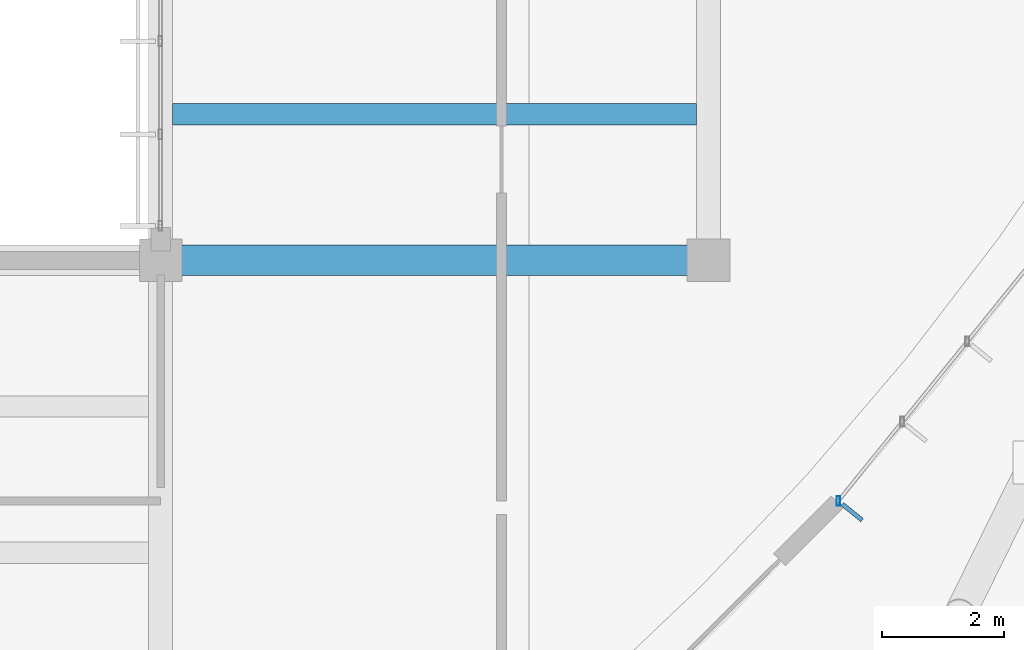
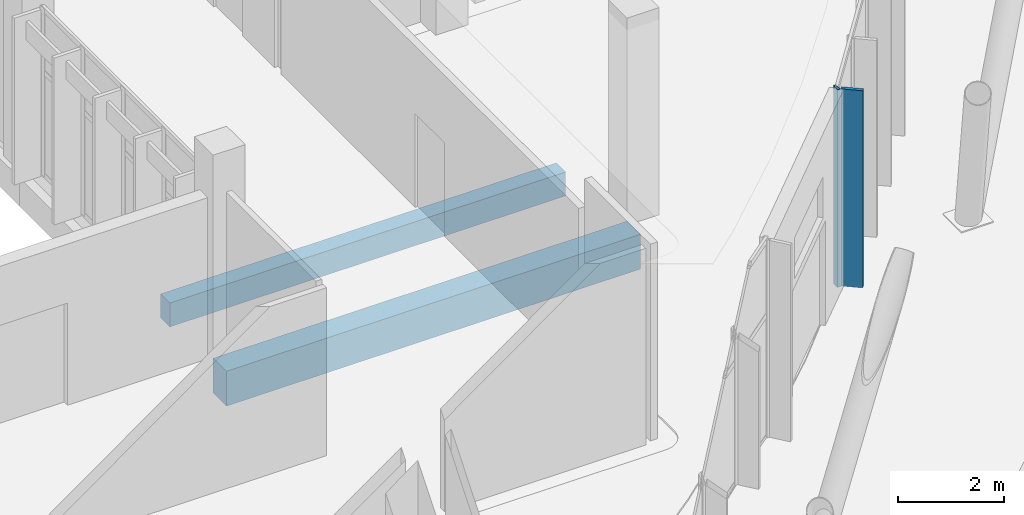
# One storey, part 73 of 151: 2 beams, 2 members, 1 element without a shape of its own.
"""IFC4 building model written with IfcOpenShell, lengths in metres."""

from ifc_helpers import new_model, si_unit, direction, frame, origin, origin_2d, place, context, subcontext, project, spatial, rectangle, hollow_rectangle, extrude, material, material_profile, profile_set, type_object, element, aggregate, save


model = new_model("IFC4")

# Units and contexts
model_context = context("Model", 3, precision=1e-05, world=origin(), true_north=direction((0.0, 1.0)))
body_context = subcontext(model_context, "Body", "Model", "MODEL_VIEW")
ifc_project = project(units=[si_unit("LENGTHUNIT", "METRE"), si_unit("AREAUNIT", "SQUARE_METRE"), si_unit("VOLUMEUNIT", "CUBIC_METRE"), si_unit("PLANEANGLEUNIT", "RADIAN"), si_unit("MASSUNIT", "GRAM", prefix="KILO")], contexts=[model_context])

# Site, building, storey
site_placement = place(None, origin())
site = spatial("IfcSite", under=ifc_project, at=site_placement, CompositionType="ELEMENT")
building_placement = place(site_placement, origin())
building = spatial("IfcBuilding", under=site, at=building_placement, Name="Chiffa Square Polytechnic", CompositionType="ELEMENT")
storey_placement = place(building_placement, origin())
storey = spatial("IfcBuildingStorey", under=building, at=storey_placement, Name="L00", CompositionType="ELEMENT", Elevation=0.0)

# Beam
ifc_material_1 = material(Name="Concrete C40/50", Category="concrete")
ifc_material_profile_1 = material_profile(ifc_material_1, rectangle(XDim=0.5, YDim=0.800048828125, at=origin_2d()), Name="RC 500x800")
ifc_profile_set_1 = profile_set([ifc_material_profile_1], Name="Concrete C40/50")
beam_type_1 = type_object("IfcBeamType", Name="BM-RC-500X800", PredefinedType="BEAM", material=ifc_profile_set_1)
beam_1_placement = place(storey_placement, frame((148.199951171875, 28.800048828125, -0.75), z_axis=(1.0, 0.0, 0.0), x_axis=(0.0, 1.0, 0.0)))
element("IfcBeam", 1, at=beam_1_placement, inside=storey, type_object=beam_type_1, Name="Primary floor girder BM-V1-L00-X-1482-0288", PredefinedType="BEAM", context=body_context, shape_type="SweptSolid", body=[
    extrude(rectangle(XDim=0.5, YDim=0.800048828125, at=origin_2d()), origin(), (0.0, 0.0, 1.0), 9.0),
])

# Curtain wall, members
ifc_material_2 = material(Name="Aluminium EN AW-6060 T66 and glulam shading", Category="wood")
curtain_wall_type = type_object("IfcCurtainWallType", Name="CW-VERT-480X380", PredefinedType="USERDEFINED", material=ifc_material_2)
curtain_wall_placement = place(storey_placement, origin())
curtain_wall = element("IfcCurtainWall", 2, at=curtain_wall_placement, inside=storey, type_object=curtain_wall_type, Name="Curtain wall CW-V1-L00-006", ObjectType="CURTAIN WALL", PredefinedType="USERDEFINED")
ifc_material_3 = material(Name="Aluminium EN AW-6060 T66", Category="aluminium")
ifc_material_profile_2 = material_profile(ifc_material_3, hollow_rectangle(XDim=0.06005859375, YDim=0.159912109375, WallThickness=0.00390625, at=origin_2d()), Name="ALU 60x160x4")
ifc_profile_set_2 = profile_set([ifc_material_profile_2], Name="Aluminium EN AW-6060 T66")
member_type_1 = type_object("IfcMemberType", Name="CWM-ALU-65X150", PredefinedType="MULLION", material=ifc_profile_set_2)
member_1_placement = place(storey_placement, frame((159.3330078125, 24.84912109375, -0.02001953125), z_axis=(0.0, 0.0, 1.0), x_axis=(1.0, 0.0, 0.0)))
member_1 = element("IfcMember", 3, at=member_1_placement, type_object=member_type_1, Name="Curtain wall mullion CW-V1-L00-006-M00", PredefinedType="MULLION", context=body_context, shape_type="SweptSolid", body=[
    extrude(hollow_rectangle(XDim=0.06005859375, YDim=0.159912109375, WallThickness=0.00390625, at=origin_2d()), origin(), (0.0, 0.0, 1.0), 4.554931640625),
])
ifc_material_4 = material(Name="Glulam GL28h", Category="wood")
ifc_material_profile_3 = material_profile(ifc_material_4, rectangle(XDim=0.070068359375, YDim=0.419921875, at=origin_2d()), Name="GL28h 70x420")
ifc_profile_set_3 = profile_set([ifc_material_profile_3], Name="Glulam GL28h")
member_type_2 = type_object("IfcMemberType", Name="CWM-GL-70X420", PredefinedType="MULLION", material=ifc_profile_set_3)
member_2_placement = place(storey_placement, frame((159.56005859375, 24.6650390625, -0.010009765625), z_axis=(0.0, 0.0, 1.0), x_axis=(0.629211874869, 0.777233823584, 0.0)))
member_2 = element("IfcMember", 4, at=member_2_placement, type_object=member_type_2, Name="Exterior glulam solar fin CW-V1-L00-006-FN00", PredefinedType="MULLION", context=body_context, shape_type="SweptSolid", body=[
    extrude(rectangle(XDim=0.070068359375, YDim=0.419921875, at=origin_2d()), origin(), (0.0, 0.0, 1.0), 4.534912109375),
])
aggregate(curtain_wall, [member_1, member_2])

# Beam
ifc_material_5 = material(Name="Concrete C35/45", Category="concrete")
ifc_material_profile_4 = material_profile(ifc_material_5, rectangle(XDim=0.35009765625, YDim=0.550048828125, at=origin_2d()), Name="RC 350x550")
ifc_profile_set_4 = profile_set([ifc_material_profile_4], Name="Concrete C35/45")
beam_type_2 = type_object("IfcBeamType", Name="JST-RC-350X550", PredefinedType="JOIST", material=ifc_profile_set_4)
beam_2_placement = place(storey_placement, frame((148.39794921875, 31.199951171875, -0.625), z_axis=(1.0, 0.0, 0.0), x_axis=(0.0, 1.0, 0.0)))
element("IfcBeam", 5, at=beam_2_placement, inside=storey, type_object=beam_type_2, Name="Secondary floor joist JST-V1-L00-1482-0312", PredefinedType="JOIST", context=body_context, shape_type="SweptSolid", body=[
    extrude(rectangle(XDim=0.35009765625, YDim=0.550048828125, at=origin_2d()), origin(), (0.0, 0.0, 1.0), 8.60400390625),
])

save(model, "model.ifc")
